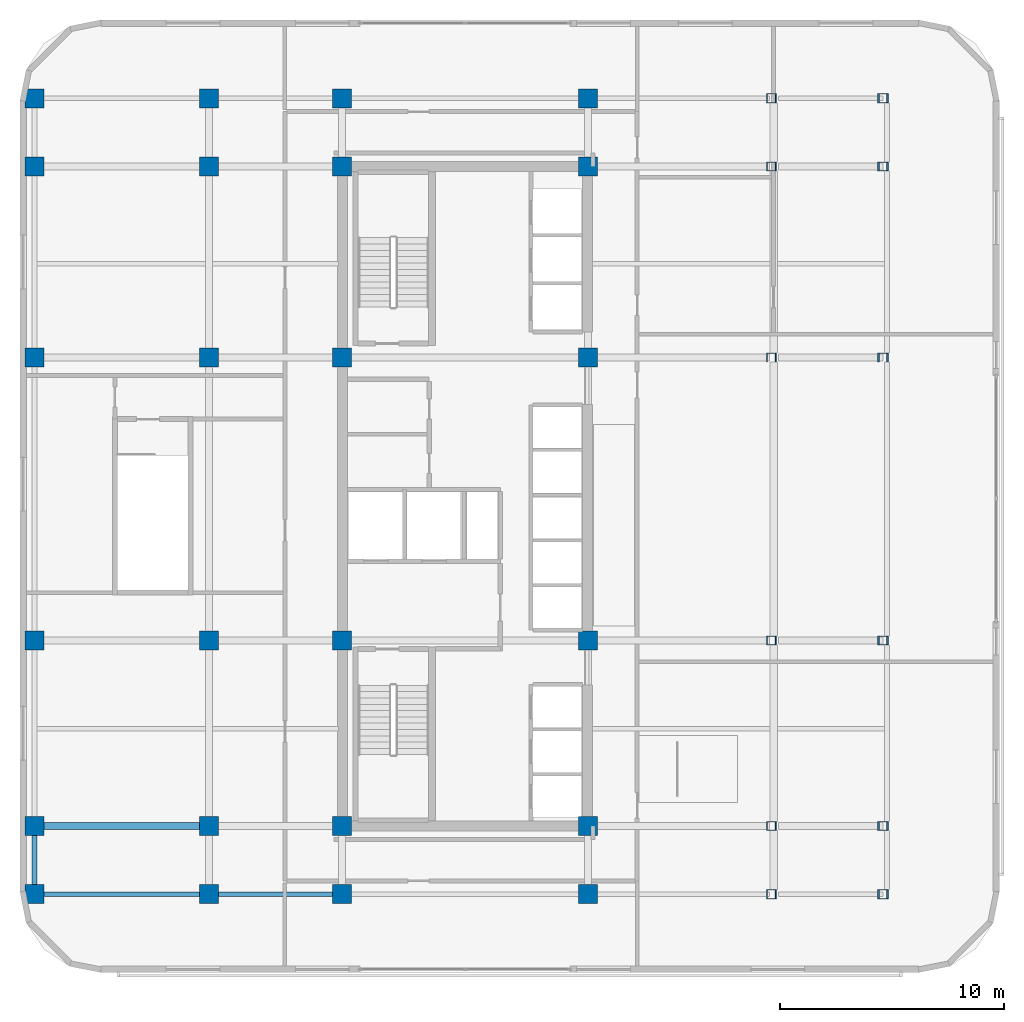
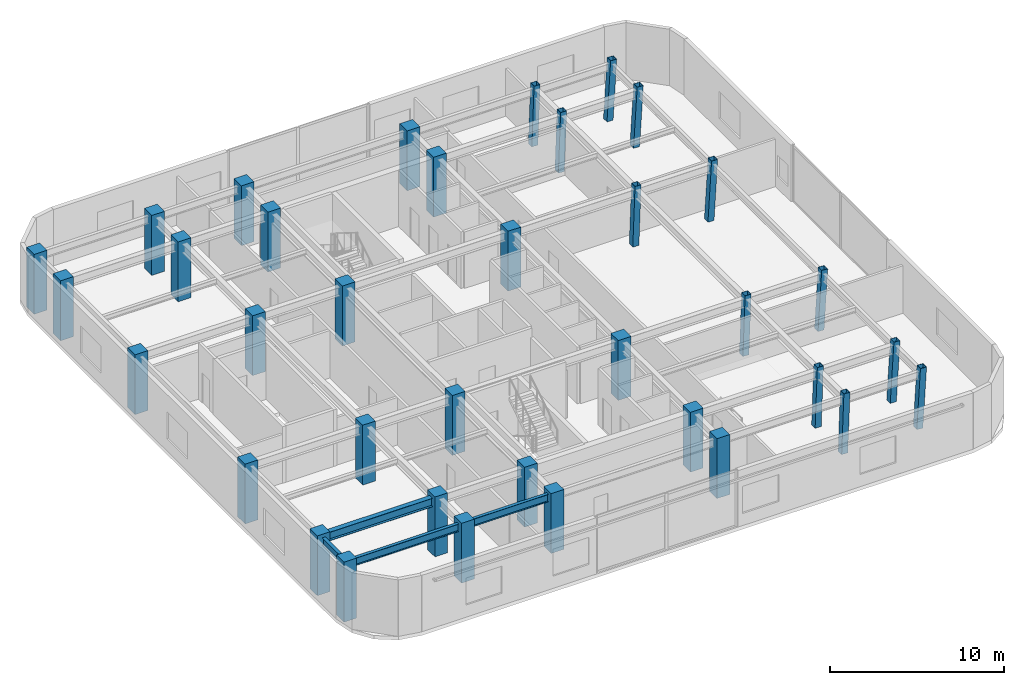
# One storey, part 1 of 13: 36 columns, 4 beams.
"""IFC4 building model written with IfcOpenShell, lengths in metres."""

from ifc_helpers import new_model, si_unit, direction, frame, origin, origin_2d, place, context, subcontext, project, spatial, rectangle, hollow_rectangle, i_section, extrude, material, material_profile, profile_set, type_object, element, save


model = new_model("IFC4")

# Units and contexts
model_context = context("Model", 3, precision=1e-05, world=origin(), true_north=direction((0.0, 1.0)))
body_context = subcontext(model_context, "Body", "Model", "MODEL_VIEW")
ifc_project = project(units=[si_unit("LENGTHUNIT", "METRE"), si_unit("AREAUNIT", "SQUARE_METRE"), si_unit("VOLUMEUNIT", "CUBIC_METRE"), si_unit("PLANEANGLEUNIT", "RADIAN"), si_unit("MASSUNIT", "GRAM", prefix="KILO")], contexts=[model_context])

# Site, building, storey
site_placement = place(None, origin())
site = spatial("IfcSite", under=ifc_project, at=site_placement, CompositionType="ELEMENT")
building_placement = place(site_placement, origin())
building = spatial("IfcBuilding", under=site, at=building_placement, Name="Ochreholt Gables", CompositionType="ELEMENT")
storey_placement = place(building_placement, frame((0.0, 0.0, 98.39990234375)))
storey = spatial("IfcBuildingStorey", under=building, at=storey_placement, Name="L25", CompositionType="ELEMENT", Elevation=98.39990234375)

# Columns
ifc_material_1 = material(Name="Steel CSA G40.21 350W", Category="steel")
ifc_material_profile_1 = material_profile(ifc_material_1, hollow_rectangle(XDim=0.406005859375, YDim=0.406005859375, WallThickness=0.01611328125, at=origin_2d()), Name="HSS406X406X16")
ifc_profile_set_1 = profile_set([ifc_material_profile_1], Name="Steel CSA G40.21 350W")
column_type_1 = type_object("IfcColumnType", Name="COL-HSS406-RAK", PredefinedType="COLUMN", material=ifc_profile_set_1)
for number, where, z_axis, x_axis, name in (
    (1, (43.3798828125, 9.25, 0.0), (0.035028478706, 0.0, 0.999386314535), (0.0, 1.0, 0.0), "L25 Column EMY2"),
    (2, (43.3798828125, 17.550048828125, 0.0), (0.035028478706, 0.0, 0.999386314535), (0.0, 1.0, 0.0), "L25 Column EMY3"),
    (3, (43.3798828125, 30.199951171875, 0.0), (0.035028478706, 0.0, 0.999386314535), (0.0, 1.0, 0.0), "L25 Column EMY4"),
    (4, (43.3798828125, 38.75, 0.0), (0.035028478706, 0.0, 0.999386314535), (0.0, 1.0, 0.0), "L25 Column EMY5"),
):
    element("IfcColumn", number, at=place(storey_placement, frame(where, z_axis=z_axis, x_axis=x_axis)), inside=storey, type_object=column_type_1, Name=name, PredefinedType="COLUMN", context=body_context, shape_type="SweptSolid", body=[
        extrude(hollow_rectangle(XDim=0.406005859375, YDim=0.406005859375, WallThickness=0.01611328125, at=origin_2d()), origin(), (0.0, 0.0, 1.0), 4.202880859375),
    ])
ifc_material_profile_2 = material_profile(ifc_material_1, hollow_rectangle(XDim=0.406005859375, YDim=0.406005859375, WallThickness=0.01611328125, at=origin_2d()), Name="HSS406X406X16")
ifc_profile_set_2 = profile_set([ifc_material_profile_2], Name="Steel CSA G40.21 350W")
column_type_2 = type_object("IfcColumnType", Name="COL-HSS406-RAKE", PredefinedType="COLUMN", material=ifc_profile_set_2)
for number, where, z_axis, x_axis, name in (
    (5, (43.3798828125, 6.199951171875, 0.0), (0.035028478706, 0.0, 0.999386314535), (0.0, 1.0, 0.0), "L25 Column EMY1"),
    (6, (43.3798828125, 41.800048828125, 0.0), (0.035028478706, 0.0, 0.999386314535), (0.0, 1.0, 0.0), "L25 Column EMY6"),
):
    element("IfcColumn", number, at=place(storey_placement, frame(where, z_axis=z_axis, x_axis=x_axis)), inside=storey, type_object=column_type_2, Name=name, PredefinedType="COLUMN", context=body_context, shape_type="SweptSolid", body=[
        extrude(hollow_rectangle(XDim=0.406005859375, YDim=0.406005859375, WallThickness=0.01611328125, at=origin_2d()), origin(), (0.0, 0.0, 1.0), 4.202880859375),
    ])
for number, where, z_axis, x_axis, name in (
    (7, (48.364013671875, 6.199951171875, 0.0), (0.05791240554, 0.0, 0.998321668244), (0.0, 1.0, 0.0), "L25 Column EEY1"),
    (8, (48.364013671875, 9.25, 0.0), (0.05791240554, 0.0, 0.998321668244), (0.0, 1.0, 0.0), "L25 Column EEY2"),
    (9, (48.364013671875, 17.550048828125, 0.0), (0.05791240554, 0.0, 0.998321668244), (0.0, 1.0, 0.0), "L25 Column EEY3"),
    (10, (48.364013671875, 30.199951171875, 0.0), (0.05791240554, 0.0, 0.998321668244), (0.0, 1.0, 0.0), "L25 Column EEY4"),
    (11, (48.364013671875, 38.75, 0.0), (0.05791240554, 0.0, 0.998321668244), (0.0, 1.0, 0.0), "L25 Column EEY5"),
    (12, (48.364013671875, 41.800048828125, 0.0), (0.05791240554, 0.0, 0.998321668244), (0.0, 1.0, 0.0), "L25 Column EEY6"),
):
    element("IfcColumn", number, at=place(storey_placement, frame(where, z_axis=z_axis, x_axis=x_axis)), inside=storey, type_object=column_type_2, Name=name, PredefinedType="COLUMN", context=body_context, shape_type="SweptSolid", body=[
        extrude(hollow_rectangle(XDim=0.406005859375, YDim=0.406005859375, WallThickness=0.01611328125, at=origin_2d()), origin(), (0.0, 0.0, 1.0), 4.207275390625),
    ])
ifc_material_2 = material(Name="Concrete 60 MPa", Category="concrete")
ifc_material_profile_3 = material_profile(ifc_material_2, rectangle(XDim=0.85009765625, YDim=0.85009765625, at=origin_2d()), Name="RC850X850")
ifc_profile_set_3 = profile_set([ifc_material_profile_3], Name="Concrete 60 MPa")
column_type_3 = type_object("IfcColumnType", Name="COL-RC850-EXT", PredefinedType="COLUMN", material=ifc_profile_set_3)
for number, where, z_axis, x_axis, name in (
    (13, (10.449951171875, 6.199951171875, 0.0), (0.0, 0.0, 1.0), (1.0, 0.0, 0.0), "L25 Column W2Y1"),
    (14, (10.449951171875, 9.25, 0.0), (0.0, 0.0, 1.0), (1.0, 0.0, 0.0), "L25 Column W2Y2"),
    (15, (10.449951171875, 17.550048828125, 0.0), (0.0, 0.0, 1.0), (1.0, 0.0, 0.0), "L25 Column W2Y3"),
    (16, (10.449951171875, 30.199951171875, 0.0), (0.0, 0.0, 1.0), (1.0, 0.0, 0.0), "L25 Column W2Y4"),
    (17, (10.449951171875, 38.75, 0.0), (0.0, 0.0, 1.0), (1.0, 0.0, 0.0), "L25 Column W2Y5"),
    (18, (10.449951171875, 41.800048828125, 0.0), (0.0, 0.0, 1.0), (1.0, 0.0, 0.0), "L25 Column W2Y6"),
    (19, (18.25, 6.199951171875, 0.0), (0.0, 0.0, 1.0), (1.0, 0.0, 0.0), "L25 Column W3Y1"),
    (20, (18.25, 41.800048828125, 0.0), (0.0, 0.0, 1.0), (1.0, 0.0, 0.0), "L25 Column W3Y6"),
    (21, (24.199951171875, 6.199951171875, 0.0), (0.0, 0.0, 1.0), (1.0, 0.0, 0.0), "L25 Column C1Y1"),
    (22, (24.199951171875, 41.800048828125, 0.0), (0.0, 0.0, 1.0), (1.0, 0.0, 0.0), "L25 Column C1Y6"),
    (23, (35.199951171875, 6.199951171875, 0.0), (0.0, 0.0, 1.0), (1.0, 0.0, 0.0), "L25 Column C2Y1"),
    (24, (35.199951171875, 41.800048828125, 0.0), (0.0, 0.0, 1.0), (1.0, 0.0, 0.0), "L25 Column C2Y6"),
):
    element("IfcColumn", number, at=place(storey_placement, frame(where, z_axis=z_axis, x_axis=x_axis)), inside=storey, type_object=column_type_3, Name=name, PredefinedType="COLUMN", context=body_context, shape_type="SweptSolid", body=[
        extrude(rectangle(XDim=0.85009765625, YDim=0.85009765625, at=origin_2d()), origin(), (0.0, 0.0, 1.0), 4.2001953125),
    ])
ifc_material_profile_4 = material_profile(ifc_material_2, rectangle(XDim=0.85009765625, YDim=0.85009765625, at=origin_2d()), Name="RC850X850")
ifc_profile_set_4 = profile_set([ifc_material_profile_4], Name="Concrete 60 MPa")
column_type_4 = type_object("IfcColumnType", Name="COL-RC850-INT", PredefinedType="COLUMN", material=ifc_profile_set_4)
for number, where, z_axis, x_axis, name in (
    (25, (18.25, 9.25, 0.0), (0.0, 0.0, 1.0), (1.0, 0.0, 0.0), "L25 Column W3Y2"),
    (26, (18.25, 17.550048828125, 0.0), (0.0, 0.0, 1.0), (1.0, 0.0, 0.0), "L25 Column W3Y3"),
    (27, (18.25, 30.199951171875, 0.0), (0.0, 0.0, 1.0), (1.0, 0.0, 0.0), "L25 Column W3Y4"),
    (28, (18.25, 38.75, 0.0), (0.0, 0.0, 1.0), (1.0, 0.0, 0.0), "L25 Column W3Y5"),
    (29, (24.199951171875, 9.25, 0.0), (0.0, 0.0, 1.0), (1.0, 0.0, 0.0), "L25 Column C1Y2"),
    (30, (24.199951171875, 17.550048828125, 0.0), (0.0, 0.0, 1.0), (1.0, 0.0, 0.0), "L25 Column C1Y3"),
    (31, (24.199951171875, 30.199951171875, 0.0), (0.0, 0.0, 1.0), (1.0, 0.0, 0.0), "L25 Column C1Y4"),
    (32, (24.199951171875, 38.75, 0.0), (0.0, 0.0, 1.0), (1.0, 0.0, 0.0), "L25 Column C1Y5"),
    (33, (35.199951171875, 9.25, 0.0), (0.0, 0.0, 1.0), (1.0, 0.0, 0.0), "L25 Column C2Y2"),
    (34, (35.199951171875, 17.550048828125, 0.0), (0.0, 0.0, 1.0), (1.0, 0.0, 0.0), "L25 Column C2Y3"),
    (35, (35.199951171875, 30.199951171875, 0.0), (0.0, 0.0, 1.0), (1.0, 0.0, 0.0), "L25 Column C2Y4"),
    (36, (35.199951171875, 38.75, 0.0), (0.0, 0.0, 1.0), (1.0, 0.0, 0.0), "L25 Column C2Y5"),
):
    element("IfcColumn", number, at=place(storey_placement, frame(where, z_axis=z_axis, x_axis=x_axis)), inside=storey, type_object=column_type_4, Name=name, PredefinedType="COLUMN", context=body_context, shape_type="SweptSolid", body=[
        extrude(rectangle(XDim=0.85009765625, YDim=0.85009765625, at=origin_2d()), origin(), (0.0, 0.0, 1.0), 4.2001953125),
    ])

# Beams
ifc_material_profile_5 = material_profile(ifc_material_1, i_section(OverallWidth=0.323974609375, OverallDepth=0.611083984375, WebThickness=0.0126953125, FlangeThickness=0.01904296875, at=origin_2d()), Name="W610X155")
ifc_profile_set_5 = profile_set([ifc_material_profile_5], Name="Steel CSA G40.21 350W")
beam_type_1 = type_object("IfcBeamType", Name="BM-G-W610A", PredefinedType="BEAM", material=ifc_profile_set_5)
beam_1_placement = place(storey_placement, frame((10.87451171875, 9.25, 3.654541015625), z_axis=(1.0, 0.0, 0.0), x_axis=(0.0, 1.0, 0.0)))
element("IfcBeam", 37, at=beam_1_placement, inside=storey, type_object=beam_type_1, Name="L25 Beam TBG-L25-W2W3-Y2", PredefinedType="BEAM", context=body_context, shape_type="SweptSolid", body=[
    extrude(i_section(OverallWidth=0.323974609375, OverallDepth=0.611083984375, WebThickness=0.0126953125, FlangeThickness=0.01904296875, at=origin_2d()), origin(), (0.0, 0.0, 1.0), 6.950927734375),
])
ifc_material_profile_6 = material_profile(ifc_material_1, i_section(OverallWidth=0.208984375, OverallDepth=0.532958984375, WebThickness=0.01025390625, FlangeThickness=0.015625, at=origin_2d()), Name="W530X92")
ifc_profile_set_6 = profile_set([ifc_material_profile_6], Name="Steel CSA G40.21 350W")
beam_type_2 = type_object("IfcBeamType", Name="BM-SP-W530B", PredefinedType="SPANDREL", material=ifc_profile_set_6)
beam_2_placement = place(storey_placement, frame((10.87451171875, 6.199951171875, 3.693603515625), z_axis=(1.0, 0.0, 0.0), x_axis=(0.0, 1.0, 0.0)))
element("IfcBeam", 38, at=beam_2_placement, inside=storey, type_object=beam_type_2, Name="L25 Beam TBG-L25-W2W3-Y1", PredefinedType="SPANDREL", context=body_context, shape_type="SweptSolid", body=[
    extrude(i_section(OverallWidth=0.208984375, OverallDepth=0.532958984375, WebThickness=0.01025390625, FlangeThickness=0.015625, at=origin_2d()), origin(), (0.0, 0.0, 1.0), 6.950927734375),
])
beam_3_placement = place(storey_placement, frame((18.674560546875, 6.199951171875, 3.693603515625), z_axis=(1.0, 0.0, 0.0), x_axis=(0.0, 1.0, 0.0)))
element("IfcBeam", 39, at=beam_3_placement, inside=storey, type_object=beam_type_2, Name="L25 Beam TBG-L25-W3C1-Y1", PredefinedType="SPANDREL", context=body_context, shape_type="SweptSolid", body=[
    extrude(i_section(OverallWidth=0.208984375, OverallDepth=0.532958984375, WebThickness=0.01025390625, FlangeThickness=0.015625, at=origin_2d()), origin(), (0.0, 0.0, 1.0), 5.100830078125),
])
beam_4_placement = place(storey_placement, frame((10.449951171875, 6.62451171875, 3.693603515625), z_axis=(0.0, 1.0, 0.0), x_axis=(-1.0, 0.0, 0.0)))
element("IfcBeam", 40, at=beam_4_placement, inside=storey, type_object=beam_type_2, Name="L25 Beam TBN-L25-W2-Y1Y2", PredefinedType="SPANDREL", context=body_context, shape_type="SweptSolid", body=[
    extrude(i_section(OverallWidth=0.208984375, OverallDepth=0.532958984375, WebThickness=0.01025390625, FlangeThickness=0.015625, at=origin_2d()), origin(), (0.0, 0.0, 1.0), 2.200927734375),
])

save(model, "model.ifc")
